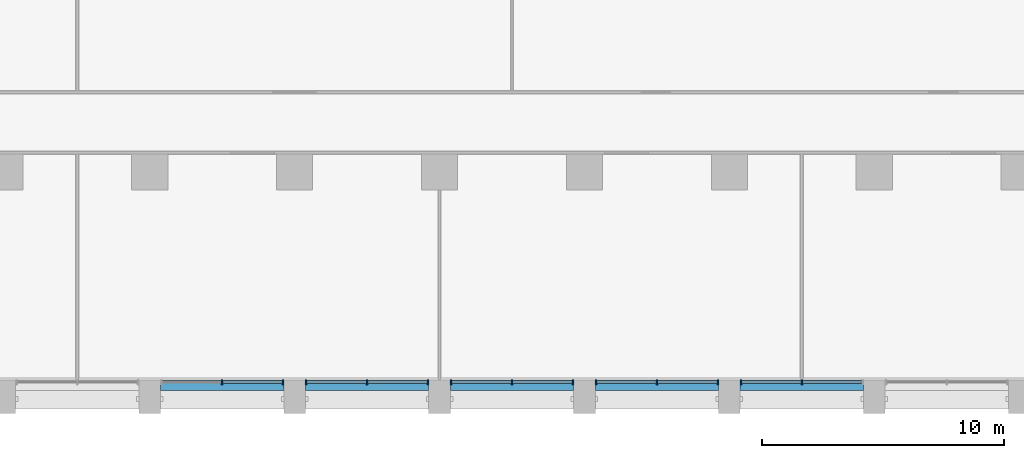
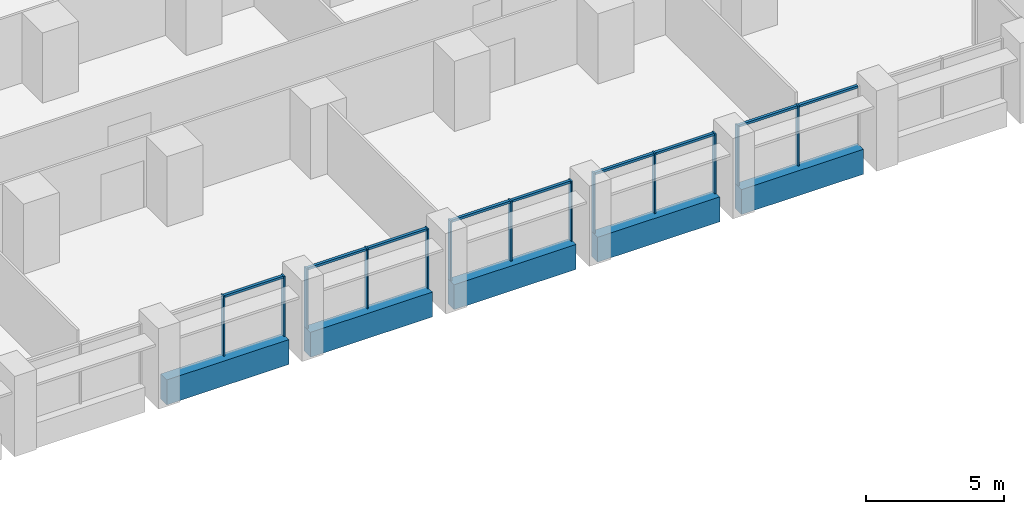
# One storey, part 3 of 18: 22 members, 5 beams, 5 elements without a shape of their own.
"""IFC4 building model written with IfcOpenShell, lengths in metres."""

from ifc_helpers import new_model, si_unit, direction, frame, origin, origin_2d, place, context, subcontext, project, spatial, rectangle, extrude, material, material_profile, profile_set, type_object, element, aggregate, save


model = new_model("IFC4")

# Units and contexts
model_context = context("Model", 3, precision=1e-05, world=origin(), true_north=direction((0.0, 1.0)))
body_context = subcontext(model_context, "Body", "Model", "MODEL_VIEW")
ifc_project = project(units=[si_unit("LENGTHUNIT", "METRE"), si_unit("AREAUNIT", "SQUARE_METRE"), si_unit("VOLUMEUNIT", "CUBIC_METRE"), si_unit("PLANEANGLEUNIT", "RADIAN"), si_unit("MASSUNIT", "GRAM", prefix="KILO")], contexts=[model_context])

# Site, building, storey
site_placement = place(None, origin())
site = spatial("IfcSite", under=ifc_project, at=site_placement, CompositionType="ELEMENT")
building_placement = place(site_placement, origin())
building = spatial("IfcBuilding", under=site, at=building_placement, Name="Calvaro Tower", CompositionType="ELEMENT")
storey_placement = place(building_placement, frame((0.0, 0.0, 86.25)))
storey = spatial("IfcBuildingStorey", under=building, at=storey_placement, Name="L21", CompositionType="ELEMENT", Elevation=86.25)

# Curtain wall, members
ifc_material_1 = material(Name="Anodised aluminium", Category="aluminium")
curtain_wall_type = type_object("IfcCurtainWallType", Name="Office curtain wall, lower zone", PredefinedType="NOTDEFINED", material=ifc_material_1)
curtain_wall_1_placement = place(storey_placement, origin())
curtain_wall_1 = element("IfcCurtainWall", 1, at=curtain_wall_1_placement, inside=storey, type_object=curtain_wall_type, Name="CW1 south curtain wall", PredefinedType="NOTDEFINED")
ifc_material_2 = material(Name="Anodised aluminium", Category="aluminium")
ifc_material_profile_1 = material_profile(ifc_material_2, rectangle(XDim=0.199951171875, YDim=0.06005859375, at=origin_2d()), Name="Mullion S1 60 x 200")
ifc_profile_set_1 = profile_set([ifc_material_profile_1], Name="Anodised aluminium")
member_type_1 = type_object("IfcMemberType", Name="Mullion S1 60 x 200", PredefinedType="MULLION", material=ifc_profile_set_1)
member_1_placement = place(storey_placement, frame((39.0, 1.300048828125, 0.0), z_axis=(0.0, 0.0, 1.0), x_axis=(0.0, 1.0, 0.0)))
member_1 = element("IfcMember", 2, at=member_1_placement, type_object=member_type_1, Name="CW1 mullion 2", PredefinedType="MULLION", context=body_context, shape_type="SweptSolid", body=[
    extrude(rectangle(XDim=0.199951171875, YDim=0.06005859375, at=origin_2d()), origin(), (0.0, 0.0, 1.0), 2.64990234375),
])
member_2_placement = place(storey_placement, frame((41.52001953125, 1.300048828125, 0.0), z_axis=(0.0, 0.0, 1.0), x_axis=(0.0, 1.0, 0.0)))
member_2 = element("IfcMember", 3, at=member_2_placement, type_object=member_type_1, Name="CW1 mullion 3", PredefinedType="MULLION", context=body_context, shape_type="SweptSolid", body=[
    extrude(rectangle(XDim=0.199951171875, YDim=0.06005859375, at=origin_2d()), origin(), (0.0, 0.0, 1.0), 2.64990234375),
])

curtain_wall_2_placement = place(storey_placement, origin())
curtain_wall_2 = element("IfcCurtainWall", 4, at=curtain_wall_2_placement, inside=storey, type_object=curtain_wall_type, Name="CW1 south curtain wall", PredefinedType="NOTDEFINED")
member_3_placement = place(storey_placement, frame((42.47998046875, 1.300048828125, 0.0), z_axis=(0.0, 0.0, 1.0), x_axis=(0.0, 1.0, 0.0)))
member_3 = element("IfcMember", 5, at=member_3_placement, type_object=member_type_1, Name="CW1 mullion 1", PredefinedType="MULLION", context=body_context, shape_type="SweptSolid", body=[
    extrude(rectangle(XDim=0.199951171875, YDim=0.06005859375, at=origin_2d()), origin(), (0.0, 0.0, 1.0), 2.64990234375),
])
member_4_placement = place(storey_placement, frame((45.0, 1.300048828125, 0.0), z_axis=(0.0, 0.0, 1.0), x_axis=(0.0, 1.0, 0.0)))
member_4 = element("IfcMember", 6, at=member_4_placement, type_object=member_type_1, Name="CW1 mullion 2", PredefinedType="MULLION", context=body_context, shape_type="SweptSolid", body=[
    extrude(rectangle(XDim=0.199951171875, YDim=0.06005859375, at=origin_2d()), origin(), (0.0, 0.0, 1.0), 2.64990234375),
])
member_5_placement = place(storey_placement, frame((47.52001953125, 1.300048828125, 0.0), z_axis=(0.0, 0.0, 1.0), x_axis=(0.0, 1.0, 0.0)))
member_5 = element("IfcMember", 7, at=member_5_placement, type_object=member_type_1, Name="CW1 mullion 3", PredefinedType="MULLION", context=body_context, shape_type="SweptSolid", body=[
    extrude(rectangle(XDim=0.199951171875, YDim=0.06005859375, at=origin_2d()), origin(), (0.0, 0.0, 1.0), 2.64990234375),
])

curtain_wall_3_placement = place(storey_placement, origin())
curtain_wall_3 = element("IfcCurtainWall", 8, at=curtain_wall_3_placement, inside=storey, type_object=curtain_wall_type, Name="CW1 south curtain wall", PredefinedType="NOTDEFINED")
member_6_placement = place(storey_placement, frame((48.47998046875, 1.300048828125, 0.0), z_axis=(0.0, 0.0, 1.0), x_axis=(0.0, 1.0, 0.0)))
member_6 = element("IfcMember", 9, at=member_6_placement, type_object=member_type_1, Name="CW1 mullion 1", PredefinedType="MULLION", context=body_context, shape_type="SweptSolid", body=[
    extrude(rectangle(XDim=0.199951171875, YDim=0.06005859375, at=origin_2d()), origin(), (0.0, 0.0, 1.0), 2.64990234375),
])
member_7_placement = place(storey_placement, frame((51.0, 1.300048828125, 0.0), z_axis=(0.0, 0.0, 1.0), x_axis=(0.0, 1.0, 0.0)))
member_7 = element("IfcMember", 10, at=member_7_placement, type_object=member_type_1, Name="CW1 mullion 2", PredefinedType="MULLION", context=body_context, shape_type="SweptSolid", body=[
    extrude(rectangle(XDim=0.199951171875, YDim=0.06005859375, at=origin_2d()), origin(), (0.0, 0.0, 1.0), 2.64990234375),
])
member_8_placement = place(storey_placement, frame((53.52001953125, 1.300048828125, 0.0), z_axis=(0.0, 0.0, 1.0), x_axis=(0.0, 1.0, 0.0)))
member_8 = element("IfcMember", 11, at=member_8_placement, type_object=member_type_1, Name="CW1 mullion 3", PredefinedType="MULLION", context=body_context, shape_type="SweptSolid", body=[
    extrude(rectangle(XDim=0.199951171875, YDim=0.06005859375, at=origin_2d()), origin(), (0.0, 0.0, 1.0), 2.64990234375),
])

curtain_wall_4_placement = place(storey_placement, origin())
curtain_wall_4 = element("IfcCurtainWall", 12, at=curtain_wall_4_placement, inside=storey, type_object=curtain_wall_type, Name="CW1 south curtain wall", PredefinedType="NOTDEFINED")
member_9_placement = place(storey_placement, frame((54.47998046875, 1.300048828125, 0.0), z_axis=(0.0, 0.0, 1.0), x_axis=(0.0, 1.0, 0.0)))
member_9 = element("IfcMember", 13, at=member_9_placement, type_object=member_type_1, Name="CW1 mullion 1", PredefinedType="MULLION", context=body_context, shape_type="SweptSolid", body=[
    extrude(rectangle(XDim=0.199951171875, YDim=0.06005859375, at=origin_2d()), origin(), (0.0, 0.0, 1.0), 2.64990234375),
])
member_10_placement = place(storey_placement, frame((57.0, 1.300048828125, 0.0), z_axis=(0.0, 0.0, 1.0), x_axis=(0.0, 1.0, 0.0)))
member_10 = element("IfcMember", 14, at=member_10_placement, type_object=member_type_1, Name="CW1 mullion 2", PredefinedType="MULLION", context=body_context, shape_type="SweptSolid", body=[
    extrude(rectangle(XDim=0.199951171875, YDim=0.06005859375, at=origin_2d()), origin(), (0.0, 0.0, 1.0), 2.64990234375),
])
member_11_placement = place(storey_placement, frame((59.52001953125, 1.300048828125, 0.0), z_axis=(0.0, 0.0, 1.0), x_axis=(0.0, 1.0, 0.0)))
member_11 = element("IfcMember", 15, at=member_11_placement, type_object=member_type_1, Name="CW1 mullion 3", PredefinedType="MULLION", context=body_context, shape_type="SweptSolid", body=[
    extrude(rectangle(XDim=0.199951171875, YDim=0.06005859375, at=origin_2d()), origin(), (0.0, 0.0, 1.0), 2.64990234375),
])

curtain_wall_5_placement = place(storey_placement, origin())
curtain_wall_5 = element("IfcCurtainWall", 16, at=curtain_wall_5_placement, inside=storey, type_object=curtain_wall_type, Name="CW1 south curtain wall", PredefinedType="NOTDEFINED")
member_12_placement = place(storey_placement, frame((60.47998046875, 1.300048828125, 0.0), z_axis=(0.0, 0.0, 1.0), x_axis=(0.0, 1.0, 0.0)))
member_12 = element("IfcMember", 17, at=member_12_placement, type_object=member_type_1, Name="CW1 mullion 1", PredefinedType="MULLION", context=body_context, shape_type="SweptSolid", body=[
    extrude(rectangle(XDim=0.199951171875, YDim=0.06005859375, at=origin_2d()), origin(), (0.0, 0.0, 1.0), 2.64990234375),
])
member_13_placement = place(storey_placement, frame((63.0, 1.300048828125, 0.0), z_axis=(0.0, 0.0, 1.0), x_axis=(0.0, 1.0, 0.0)))
member_13 = element("IfcMember", 18, at=member_13_placement, type_object=member_type_1, Name="CW1 mullion 2", PredefinedType="MULLION", context=body_context, shape_type="SweptSolid", body=[
    extrude(rectangle(XDim=0.199951171875, YDim=0.06005859375, at=origin_2d()), origin(), (0.0, 0.0, 1.0), 2.64990234375),
])

# Beams
ifc_material_3 = material(Name="Concrete C50/60 precast", Category="concrete")
ifc_material_profile_2 = material_profile(ifc_material_3, rectangle(XDim=0.449951171875, YDim=1.10009765625, at=origin_2d()), Name="RC 450x1100")
ifc_profile_set_2 = profile_set([ifc_material_profile_2], Name="Concrete C50/60 precast")
beam_type = type_object("IfcBeamType", Name="Spandrel beam 450x1100 C50/60", PredefinedType="SPANDREL", material=ifc_profile_set_2)
for number, where, z_axis, x_axis, name in (
    (19, (36.449951171875, 1.175048828125, -0.550048828125), (1.0, 0.0, 0.0), (0.0, 1.0, 0.0), "Spandrel beam"),
    (20, (42.449951171875, 1.175048828125, -0.550048828125), (1.0, 0.0, 0.0), (0.0, 1.0, 0.0), "Spandrel beam"),
    (21, (48.449951171875, 1.175048828125, -0.550048828125), (1.0, 0.0, 0.0), (0.0, 1.0, 0.0), "Spandrel beam"),
    (22, (54.449951171875, 1.175048828125, -0.550048828125), (1.0, 0.0, 0.0), (0.0, 1.0, 0.0), "Spandrel beam"),
    (23, (60.449951171875, 1.175048828125, -0.550048828125), (1.0, 0.0, 0.0), (0.0, 1.0, 0.0), "Spandrel beam"),
):
    element("IfcBeam", number, at=place(storey_placement, frame(where, z_axis=z_axis, x_axis=x_axis)), inside=storey, type_object=beam_type, Name=name, PredefinedType="SPANDREL", context=body_context, shape_type="SweptSolid", body=[
        extrude(rectangle(XDim=0.449951171875, YDim=1.10009765625, at=origin_2d()), origin(), (0.0, 0.0, 1.0), 5.10009765625),
    ])

# Member
ifc_material_4 = material(Name="Anodised aluminium", Category="aluminium")
ifc_material_profile_3 = material_profile(ifc_material_4, rectangle(XDim=0.1201171875, YDim=0.10009765625, at=origin_2d()), Name="Transom S1 100 x 120")
ifc_profile_set_3 = profile_set([ifc_material_profile_3], Name="Anodised aluminium")
member_type_2 = type_object("IfcMemberType", Name="Transom S1 100 x 120", PredefinedType="USERDEFINED", material=ifc_profile_set_3)
member_14_placement = place(storey_placement, frame((39.030029296875, 1.300048828125, 2.60009765625), z_axis=(1.0, 0.0, 0.0), x_axis=(0.0, 1.0, 0.0)))
member_14 = element("IfcMember", 24, at=member_14_placement, type_object=member_type_2, Name="CW1 transom 2.1", ObjectType="TRANSOM", PredefinedType="USERDEFINED", context=body_context, shape_type="SweptSolid", body=[
    extrude(rectangle(XDim=0.1201171875, YDim=0.10009765625, at=origin_2d()), origin(), (0.0, 0.0, 1.0), 2.4599609375),
])

aggregate(curtain_wall_1, [member_1, member_2, member_14])

member_15_placement = place(storey_placement, frame((42.510009765625, 1.300048828125, 2.60009765625), z_axis=(1.0, 0.0, 0.0), x_axis=(0.0, 1.0, 0.0)))
member_15 = element("IfcMember", 25, at=member_15_placement, type_object=member_type_2, Name="CW1 transom 1.1", ObjectType="TRANSOM", PredefinedType="USERDEFINED", context=body_context, shape_type="SweptSolid", body=[
    extrude(rectangle(XDim=0.1201171875, YDim=0.10009765625, at=origin_2d()), origin(), (0.0, 0.0, 1.0), 2.4599609375),
])

member_16_placement = place(storey_placement, frame((45.030029296875, 1.300048828125, 2.60009765625), z_axis=(1.0, 0.0, 0.0), x_axis=(0.0, 1.0, 0.0)))
member_16 = element("IfcMember", 26, at=member_16_placement, type_object=member_type_2, Name="CW1 transom 2.1", ObjectType="TRANSOM", PredefinedType="USERDEFINED", context=body_context, shape_type="SweptSolid", body=[
    extrude(rectangle(XDim=0.1201171875, YDim=0.10009765625, at=origin_2d()), origin(), (0.0, 0.0, 1.0), 2.4599609375),
])

aggregate(curtain_wall_2, [member_3, member_4, member_5, member_15, member_16])

member_17_placement = place(storey_placement, frame((48.510009765625, 1.300048828125, 2.60009765625), z_axis=(1.0, 0.0, 0.0), x_axis=(0.0, 1.0, 0.0)))
member_17 = element("IfcMember", 27, at=member_17_placement, type_object=member_type_2, Name="CW1 transom 1.1", ObjectType="TRANSOM", PredefinedType="USERDEFINED", context=body_context, shape_type="SweptSolid", body=[
    extrude(rectangle(XDim=0.1201171875, YDim=0.10009765625, at=origin_2d()), origin(), (0.0, 0.0, 1.0), 2.4599609375),
])

member_18_placement = place(storey_placement, frame((51.030029296875, 1.300048828125, 2.60009765625), z_axis=(1.0, 0.0, 0.0), x_axis=(0.0, 1.0, 0.0)))
member_18 = element("IfcMember", 28, at=member_18_placement, type_object=member_type_2, Name="CW1 transom 2.1", ObjectType="TRANSOM", PredefinedType="USERDEFINED", context=body_context, shape_type="SweptSolid", body=[
    extrude(rectangle(XDim=0.1201171875, YDim=0.10009765625, at=origin_2d()), origin(), (0.0, 0.0, 1.0), 2.4599609375),
])

aggregate(curtain_wall_3, [member_6, member_7, member_8, member_17, member_18])

member_19_placement = place(storey_placement, frame((54.510009765625, 1.300048828125, 2.60009765625), z_axis=(1.0, 0.0, 0.0), x_axis=(0.0, 1.0, 0.0)))
member_19 = element("IfcMember", 29, at=member_19_placement, type_object=member_type_2, Name="CW1 transom 1.1", ObjectType="TRANSOM", PredefinedType="USERDEFINED", context=body_context, shape_type="SweptSolid", body=[
    extrude(rectangle(XDim=0.1201171875, YDim=0.10009765625, at=origin_2d()), origin(), (0.0, 0.0, 1.0), 2.4599609375),
])

member_20_placement = place(storey_placement, frame((57.030029296875, 1.300048828125, 2.60009765625), z_axis=(1.0, 0.0, 0.0), x_axis=(0.0, 1.0, 0.0)))
member_20 = element("IfcMember", 30, at=member_20_placement, type_object=member_type_2, Name="CW1 transom 2.1", ObjectType="TRANSOM", PredefinedType="USERDEFINED", context=body_context, shape_type="SweptSolid", body=[
    extrude(rectangle(XDim=0.1201171875, YDim=0.10009765625, at=origin_2d()), origin(), (0.0, 0.0, 1.0), 2.4599609375),
])

aggregate(curtain_wall_4, [member_9, member_10, member_11, member_19, member_20])

member_21_placement = place(storey_placement, frame((60.510009765625, 1.300048828125, 2.60009765625), z_axis=(1.0, 0.0, 0.0), x_axis=(0.0, 1.0, 0.0)))
member_21 = element("IfcMember", 31, at=member_21_placement, type_object=member_type_2, Name="CW1 transom 1.1", ObjectType="TRANSOM", PredefinedType="USERDEFINED", context=body_context, shape_type="SweptSolid", body=[
    extrude(rectangle(XDim=0.1201171875, YDim=0.10009765625, at=origin_2d()), origin(), (0.0, 0.0, 1.0), 2.4599609375),
])

member_22_placement = place(storey_placement, frame((63.030029296875, 1.300048828125, 2.60009765625), z_axis=(1.0, 0.0, 0.0), x_axis=(0.0, 1.0, 0.0)))
member_22 = element("IfcMember", 32, at=member_22_placement, type_object=member_type_2, Name="CW1 transom 2.1", ObjectType="TRANSOM", PredefinedType="USERDEFINED", context=body_context, shape_type="SweptSolid", body=[
    extrude(rectangle(XDim=0.1201171875, YDim=0.10009765625, at=origin_2d()), origin(), (0.0, 0.0, 1.0), 2.4599609375),
])

aggregate(curtain_wall_5, [member_12, member_13, member_21, member_22])

save(model, "model.ifc")
